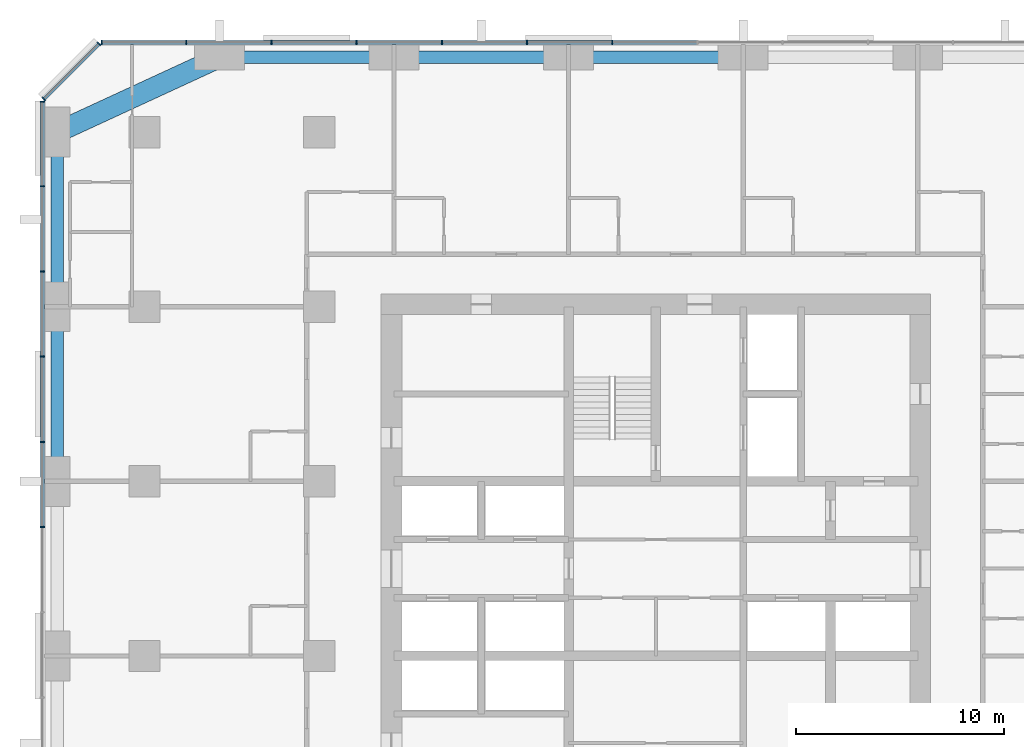
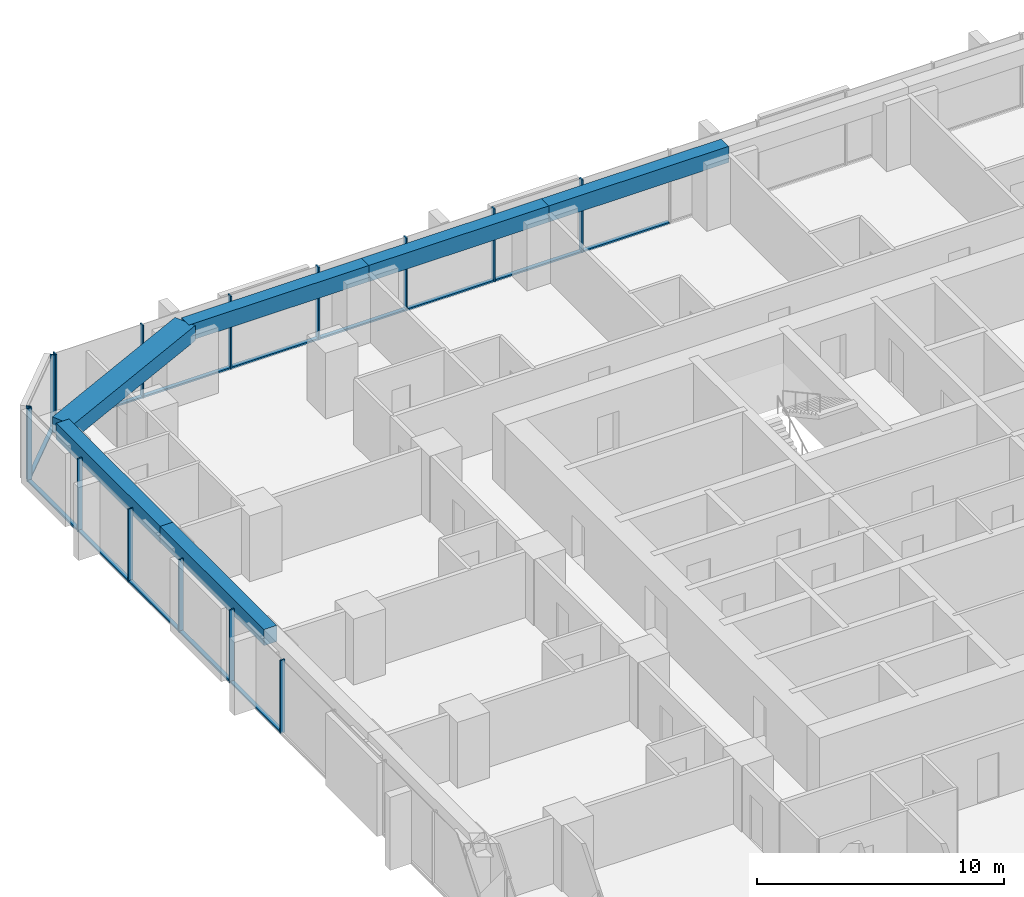
# One storey, part 5 of 13: 28 members, 6 beams, 3 elements without a shape of their own.
"""IFC4 building model written with IfcOpenShell, lengths in metres."""

from ifc_helpers import new_model, si_unit, direction, frame, origin, origin_2d, place, context, subcontext, project, spatial, rectangle, extrude, material, material_profile, profile_set, type_object, element, aggregate, save


model = new_model("IFC4")

# Units and contexts
model_context = context("Model", 3, precision=1e-05, world=origin(), true_north=direction((0.0, 1.0)))
body_context = subcontext(model_context, "Body", "Model", "MODEL_VIEW")
ifc_project = project(units=[si_unit("LENGTHUNIT", "METRE"), si_unit("AREAUNIT", "SQUARE_METRE"), si_unit("VOLUMEUNIT", "CUBIC_METRE"), si_unit("PLANEANGLEUNIT", "RADIAN"), si_unit("MASSUNIT", "GRAM", prefix="KILO")], contexts=[model_context])

# Site, building, storey
site_placement = place(None, origin())
site = spatial("IfcSite", under=ifc_project, at=site_placement, CompositionType="ELEMENT")
building_placement = place(site_placement, origin())
building = spatial("IfcBuilding", under=site, at=building_placement, Name="Dunama Terrace Hotel", CompositionType="ELEMENT")
storey_placement = place(building_placement, frame((0.0, 0.0, 118.800048828125)))
storey = spatial("IfcBuildingStorey", under=building, at=storey_placement, Name="L30", CompositionType="ELEMENT", Elevation=118.800048828125)

# Curtain wall, members
ifc_material_1 = material(Name="Aluminium curtain wall system", Category="aluminium")
curtain_wall_type = type_object("IfcCurtainWallType", Name="Unitised fritted glass wall CW-B", PredefinedType="NOTDEFINED", material=ifc_material_1)
curtain_wall_1_placement = place(storey_placement, origin())
curtain_wall_1 = element("IfcCurtainWall", 1, at=curtain_wall_1_placement, inside=storey, type_object=curtain_wall_type, Name="Unitised fritted glass wall CW-B L30", PredefinedType="NOTDEFINED")
ifc_material_2 = material(Name="Aluminium mullion", Category="aluminium")
ifc_material_profile_1 = material_profile(ifc_material_2, rectangle(XDim=0.06494140625, YDim=0.219970703125, at=origin_2d()), Name="CWB MULLION 65X220")
ifc_profile_set_1 = profile_set([ifc_material_profile_1], Name="Aluminium mullion")
member_type_1 = type_object("IfcMemberType", Name="CWB mullion 65x220", PredefinedType="MULLION", material=ifc_profile_set_1)
member_1_placement = place(storey_placement, frame((27.300048828125, 54.7099609375, 0.0), z_axis=(0.0, 0.0, 1.0), x_axis=(-1.0, 0.0, 0.0)))
member_1 = element("IfcMember", 2, at=member_1_placement, type_object=member_type_1, Name="CWB mullion", PredefinedType="MULLION", context=body_context, shape_type="SweptSolid", body=[
    extrude(rectangle(XDim=0.06494140625, YDim=0.219970703125, at=origin_2d()), origin(), (0.0, 0.0, 1.0), 3.599853515625),
])
member_2_placement = place(storey_placement, frame((23.199951171875, 54.7099609375, 0.0), z_axis=(0.0, 0.0, 1.0), x_axis=(-1.0, 0.0, 0.0)))
member_2 = element("IfcMember", 3, at=member_2_placement, type_object=member_type_1, Name="CWB mullion", PredefinedType="MULLION", context=body_context, shape_type="SweptSolid", body=[
    extrude(rectangle(XDim=0.06494140625, YDim=0.219970703125, at=origin_2d()), origin(), (0.0, 0.0, 1.0), 3.599853515625),
])
member_3_placement = place(storey_placement, frame((19.10009765625, 54.7099609375, 0.0), z_axis=(0.0, 0.0, 1.0), x_axis=(-1.0, 0.0, 0.0)))
member_3 = element("IfcMember", 4, at=member_3_placement, type_object=member_type_1, Name="CWB mullion", PredefinedType="MULLION", context=body_context, shape_type="SweptSolid", body=[
    extrude(rectangle(XDim=0.06494140625, YDim=0.219970703125, at=origin_2d()), origin(), (0.0, 0.0, 1.0), 3.599853515625),
])
member_4_placement = place(storey_placement, frame((15.0, 54.7099609375, 0.0), z_axis=(0.0, 0.0, 1.0), x_axis=(-1.0, 0.0, 0.0)))
member_4 = element("IfcMember", 5, at=member_4_placement, type_object=member_type_1, Name="CWB mullion", PredefinedType="MULLION", context=body_context, shape_type="SweptSolid", body=[
    extrude(rectangle(XDim=0.06494140625, YDim=0.219970703125, at=origin_2d()), origin(), (0.0, 0.0, 1.0), 3.599853515625),
])
member_5_placement = place(storey_placement, frame((10.89990234375, 54.7099609375, 0.0), z_axis=(0.0, 0.0, 1.0), x_axis=(-1.0, 0.0, 0.0)))
member_5 = element("IfcMember", 6, at=member_5_placement, type_object=member_type_1, Name="CWB mullion", PredefinedType="MULLION", context=body_context, shape_type="SweptSolid", body=[
    extrude(rectangle(XDim=0.06494140625, YDim=0.219970703125, at=origin_2d()), origin(), (0.0, 0.0, 1.0), 3.599853515625),
])
member_6_placement = place(storey_placement, frame((6.800048828125, 54.7099609375, 0.0), z_axis=(0.0, 0.0, 1.0), x_axis=(-1.0, 0.0, 0.0)))
member_6 = element("IfcMember", 7, at=member_6_placement, type_object=member_type_1, Name="CWB mullion", PredefinedType="MULLION", context=body_context, shape_type="SweptSolid", body=[
    extrude(rectangle(XDim=0.06494140625, YDim=0.219970703125, at=origin_2d()), origin(), (0.0, 0.0, 1.0), 3.599853515625),
])
member_7_placement = place(storey_placement, frame((2.73291015625, 54.7099609375, 0.0), z_axis=(0.0, 0.0, 1.0), x_axis=(-1.0, 0.0, 0.0)))
member_7 = element("IfcMember", 8, at=member_7_placement, type_object=member_type_1, Name="CWB mullion", PredefinedType="MULLION", context=body_context, shape_type="SweptSolid", body=[
    extrude(rectangle(XDim=0.06494140625, YDim=0.219970703125, at=origin_2d()), origin(), (0.0, 0.0, 1.0), 3.599853515625),
])

curtain_wall_2_placement = place(storey_placement, origin())
curtain_wall_2 = element("IfcCurtainWall", 9, at=curtain_wall_2_placement, inside=storey, type_object=curtain_wall_type, Name="Unitised fritted glass wall CW-B L30", PredefinedType="NOTDEFINED")
member_8_placement = place(storey_placement, frame((2.59912109375, 54.655029296875, 0.0), z_axis=(0.0, 0.0, 1.0), x_axis=(-0.707106781187, -0.707106781187, 0.0)))
member_8 = element("IfcMember", 10, at=member_8_placement, type_object=member_type_1, Name="CWB mullion", PredefinedType="MULLION", context=body_context, shape_type="SweptSolid", body=[
    extrude(rectangle(XDim=0.06494140625, YDim=0.219970703125, at=origin_2d()), origin(), (0.0, 0.0, 1.0), 3.599853515625),
])
member_9_placement = place(storey_placement, frame((-0.054931640625, 52.0009765625, 0.0), z_axis=(0.0, 0.0, 1.0), x_axis=(-0.707106781187, -0.707106781187, 0.0)))
member_9 = element("IfcMember", 11, at=member_9_placement, type_object=member_type_1, Name="CWB mullion", PredefinedType="MULLION", context=body_context, shape_type="SweptSolid", body=[
    extrude(rectangle(XDim=0.06494140625, YDim=0.219970703125, at=origin_2d()), origin(), (0.0, 0.0, 1.0), 3.599853515625),
])

curtain_wall_3_placement = place(storey_placement, origin())
curtain_wall_3 = element("IfcCurtainWall", 12, at=curtain_wall_3_placement, inside=storey, type_object=curtain_wall_type, Name="Unitised fritted glass wall CW-B L30", PredefinedType="NOTDEFINED")
member_10_placement = place(storey_placement, frame((-0.110107421875, 51.866943359375, 0.0), z_axis=(0.0, 0.0, 1.0), x_axis=(0.0, -1.0, 0.0)))
member_10 = element("IfcMember", 13, at=member_10_placement, type_object=member_type_1, Name="CWB mullion", PredefinedType="MULLION", context=body_context, shape_type="SweptSolid", body=[
    extrude(rectangle(XDim=0.06494140625, YDim=0.219970703125, at=origin_2d()), origin(), (0.0, 0.0, 1.0), 3.599853515625),
])
member_11_placement = place(storey_placement, frame((-0.110107421875, 47.800048828125, 0.0), z_axis=(0.0, 0.0, 1.0), x_axis=(0.0, -1.0, 0.0)))
member_11 = element("IfcMember", 14, at=member_11_placement, type_object=member_type_1, Name="CWB mullion", PredefinedType="MULLION", context=body_context, shape_type="SweptSolid", body=[
    extrude(rectangle(XDim=0.06494140625, YDim=0.219970703125, at=origin_2d()), origin(), (0.0, 0.0, 1.0), 3.599853515625),
])
member_12_placement = place(storey_placement, frame((-0.110107421875, 43.699951171875, 0.0), z_axis=(0.0, 0.0, 1.0), x_axis=(0.0, -1.0, 0.0)))
member_12 = element("IfcMember", 15, at=member_12_placement, type_object=member_type_1, Name="CWB mullion", PredefinedType="MULLION", context=body_context, shape_type="SweptSolid", body=[
    extrude(rectangle(XDim=0.06494140625, YDim=0.219970703125, at=origin_2d()), origin(), (0.0, 0.0, 1.0), 3.599853515625),
])
member_13_placement = place(storey_placement, frame((-0.110107421875, 39.60009765625, 0.0), z_axis=(0.0, 0.0, 1.0), x_axis=(0.0, -1.0, 0.0)))
member_13 = element("IfcMember", 16, at=member_13_placement, type_object=member_type_1, Name="CWB mullion", PredefinedType="MULLION", context=body_context, shape_type="SweptSolid", body=[
    extrude(rectangle(XDim=0.06494140625, YDim=0.219970703125, at=origin_2d()), origin(), (0.0, 0.0, 1.0), 3.599853515625),
])
member_14_placement = place(storey_placement, frame((-0.110107421875, 35.5, 0.0), z_axis=(0.0, 0.0, 1.0), x_axis=(0.0, -1.0, 0.0)))
member_14 = element("IfcMember", 17, at=member_14_placement, type_object=member_type_1, Name="CWB mullion", PredefinedType="MULLION", context=body_context, shape_type="SweptSolid", body=[
    extrude(rectangle(XDim=0.06494140625, YDim=0.219970703125, at=origin_2d()), origin(), (0.0, 0.0, 1.0), 3.599853515625),
])
member_15_placement = place(storey_placement, frame((-0.110107421875, 31.39990234375, 0.0), z_axis=(0.0, 0.0, 1.0), x_axis=(0.0, -1.0, 0.0)))
member_15 = element("IfcMember", 18, at=member_15_placement, type_object=member_type_1, Name="CWB mullion", PredefinedType="MULLION", context=body_context, shape_type="SweptSolid", body=[
    extrude(rectangle(XDim=0.06494140625, YDim=0.219970703125, at=origin_2d()), origin(), (0.0, 0.0, 1.0), 3.599853515625),
])

# Member
ifc_material_3 = material(Name="Aluminium transom", Category="aluminium")
ifc_material_profile_2 = material_profile(ifc_material_3, rectangle(XDim=0.179931640625, YDim=0.080078125, at=origin_2d()), Name="CWB TRANSOM 180X80")
ifc_profile_set_2 = profile_set([ifc_material_profile_2], Name="Aluminium transom")
member_type_2 = type_object("IfcMemberType", Name="CWB transom 180x80", PredefinedType="USERDEFINED", material=ifc_profile_set_2)
member_16_placement = place(storey_placement, frame((31.366943359375, 54.7099609375, 0.0400390625), z_axis=(-1.0, 0.0, 0.0), x_axis=(0.0, -1.0, 0.0)))
member_16 = element("IfcMember", 19, at=member_16_placement, type_object=member_type_2, Name="CWB transom", ObjectType="TRANSOM", PredefinedType="USERDEFINED", context=body_context, shape_type="SweptSolid", body=[
    extrude(rectangle(XDim=0.179931640625, YDim=0.080078125, at=origin_2d()), origin(), (0.0, 0.0, 1.0), 4.034912109375),
])

member_17_placement = place(storey_placement, frame((27.26806640625, 54.7099609375, 0.0400390625), z_axis=(-1.0, 0.0, 0.0), x_axis=(0.0, -1.0, 0.0)))
member_17 = element("IfcMember", 20, at=member_17_placement, type_object=member_type_2, Name="CWB transom", ObjectType="TRANSOM", PredefinedType="USERDEFINED", context=body_context, shape_type="SweptSolid", body=[
    extrude(rectangle(XDim=0.179931640625, YDim=0.080078125, at=origin_2d()), origin(), (0.0, 0.0, 1.0), 4.03515625),
])

member_18_placement = place(storey_placement, frame((23.16796875, 54.7099609375, 0.0400390625), z_axis=(-1.0, 0.0, 0.0), x_axis=(0.0, -1.0, 0.0)))
member_18 = element("IfcMember", 21, at=member_18_placement, type_object=member_type_2, Name="CWB transom", ObjectType="TRANSOM", PredefinedType="USERDEFINED", context=body_context, shape_type="SweptSolid", body=[
    extrude(rectangle(XDim=0.179931640625, YDim=0.080078125, at=origin_2d()), origin(), (0.0, 0.0, 1.0), 4.034912109375),
])

member_19_placement = place(storey_placement, frame((19.068115234375, 54.7099609375, 0.0400390625), z_axis=(-1.0, 0.0, 0.0), x_axis=(0.0, -1.0, 0.0)))
member_19 = element("IfcMember", 22, at=member_19_placement, type_object=member_type_2, Name="CWB transom", ObjectType="TRANSOM", PredefinedType="USERDEFINED", context=body_context, shape_type="SweptSolid", body=[
    extrude(rectangle(XDim=0.179931640625, YDim=0.080078125, at=origin_2d()), origin(), (0.0, 0.0, 1.0), 4.0361328125),
])

member_20_placement = place(storey_placement, frame((14.968017578125, 54.7099609375, 0.0400390625), z_axis=(-1.0, 0.0, 0.0), x_axis=(0.0, -1.0, 0.0)))
member_20 = element("IfcMember", 23, at=member_20_placement, type_object=member_type_2, Name="CWB transom", ObjectType="TRANSOM", PredefinedType="USERDEFINED", context=body_context, shape_type="SweptSolid", body=[
    extrude(rectangle(XDim=0.179931640625, YDim=0.080078125, at=origin_2d()), origin(), (0.0, 0.0, 1.0), 4.0361328125),
])

member_21_placement = place(storey_placement, frame((10.866943359375, 54.7099609375, 0.0400390625), z_axis=(-1.0, 0.0, 0.0), x_axis=(0.0, -1.0, 0.0)))
member_21 = element("IfcMember", 24, at=member_21_placement, type_object=member_type_2, Name="CWB transom", ObjectType="TRANSOM", PredefinedType="USERDEFINED", context=body_context, shape_type="SweptSolid", body=[
    extrude(rectangle(XDim=0.179931640625, YDim=0.080078125, at=origin_2d()), origin(), (0.0, 0.0, 1.0), 4.033935546875),
])

member_22_placement = place(storey_placement, frame((6.76806640625, 54.7099609375, 0.0400390625), z_axis=(-1.0, 0.0, 0.0), x_axis=(0.0, -1.0, 0.0)))
member_22 = element("IfcMember", 25, at=member_22_placement, type_object=member_type_2, Name="CWB transom", ObjectType="TRANSOM", PredefinedType="USERDEFINED", context=body_context, shape_type="SweptSolid", body=[
    extrude(rectangle(XDim=0.179931640625, YDim=0.080078125, at=origin_2d()), origin(), (0.0, 0.0, 1.0), 4.003173828125),
])

aggregate(curtain_wall_1, [member_1, member_2, member_3, member_4, member_5, member_6, member_7, member_16, member_17, member_18, member_19, member_20, member_21, member_22])

member_23_placement = place(storey_placement, frame((2.575927734375, 54.632080078125, 0.0400390625), z_axis=(-0.707073683909, -0.707139876915, 0.0), x_axis=(0.707139876915, -0.707073683909, 0.0)))
member_23 = element("IfcMember", 26, at=member_23_placement, type_object=member_type_2, Name="CWB transom", ObjectType="TRANSOM", PredefinedType="USERDEFINED", context=body_context, shape_type="SweptSolid", body=[
    extrude(rectangle(XDim=0.179931640625, YDim=0.080078125, at=origin_2d()), origin(), (0.0, 0.0, 1.0), 3.688232421875),
])

aggregate(curtain_wall_2, [member_8, member_9, member_23])

member_24_placement = place(storey_placement, frame((-0.110107421875, 51.8349609375, 0.0400390625), z_axis=(0.0, -1.0, 0.0), x_axis=(1.0, 0.0, 0.0)))
member_24 = element("IfcMember", 27, at=member_24_placement, type_object=member_type_2, Name="CWB transom", ObjectType="TRANSOM", PredefinedType="USERDEFINED", context=body_context, shape_type="SweptSolid", body=[
    extrude(rectangle(XDim=0.179931640625, YDim=0.080078125, at=origin_2d()), origin(), (0.0, 0.0, 1.0), 4.0029296875),
])

member_25_placement = place(storey_placement, frame((-0.110107421875, 47.76708984375, 0.0400390625), z_axis=(0.0, -1.0, 0.0), x_axis=(1.0, 0.0, 0.0)))
member_25 = element("IfcMember", 28, at=member_25_placement, type_object=member_type_2, Name="CWB transom", ObjectType="TRANSOM", PredefinedType="USERDEFINED", context=body_context, shape_type="SweptSolid", body=[
    extrude(rectangle(XDim=0.179931640625, YDim=0.080078125, at=origin_2d()), origin(), (0.0, 0.0, 1.0), 4.0341796875),
])

member_26_placement = place(storey_placement, frame((-0.110107421875, 43.6669921875, 0.0400390625), z_axis=(0.0, -1.0, 0.0), x_axis=(1.0, 0.0, 0.0)))
member_26 = element("IfcMember", 29, at=member_26_placement, type_object=member_type_2, Name="CWB transom", ObjectType="TRANSOM", PredefinedType="USERDEFINED", context=body_context, shape_type="SweptSolid", body=[
    extrude(rectangle(XDim=0.179931640625, YDim=0.080078125, at=origin_2d()), origin(), (0.0, 0.0, 1.0), 4.033935546875),
])

member_27_placement = place(storey_placement, frame((-0.110107421875, 39.56689453125, 0.0400390625), z_axis=(0.0, -1.0, 0.0), x_axis=(1.0, 0.0, 0.0)))
member_27 = element("IfcMember", 30, at=member_27_placement, type_object=member_type_2, Name="CWB transom", ObjectType="TRANSOM", PredefinedType="USERDEFINED", context=body_context, shape_type="SweptSolid", body=[
    extrude(rectangle(XDim=0.179931640625, YDim=0.080078125, at=origin_2d()), origin(), (0.0, 0.0, 1.0), 4.034912109375),
])

member_28_placement = place(storey_placement, frame((-0.110107421875, 35.468017578125, 0.0400390625), z_axis=(0.0, -1.0, 0.0), x_axis=(1.0, 0.0, 0.0)))
member_28 = element("IfcMember", 31, at=member_28_placement, type_object=member_type_2, Name="CWB transom", ObjectType="TRANSOM", PredefinedType="USERDEFINED", context=body_context, shape_type="SweptSolid", body=[
    extrude(rectangle(XDim=0.179931640625, YDim=0.080078125, at=origin_2d()), origin(), (0.0, 0.0, 1.0), 4.0361328125),
])

aggregate(curtain_wall_3, [member_10, member_11, member_12, member_13, member_14, member_15, member_24, member_25, member_26, member_27, member_28])

# Beams
ifc_material_4 = material(Name="Concrete C50/60", Category="concrete")
ifc_material_profile_3 = material_profile(ifc_material_4, rectangle(XDim=1.0, YDim=0.75, at=origin_2d()), Name="RC 1000x750")
ifc_profile_set_3 = profile_set([ifc_material_profile_3], Name="Concrete C50/60")
beam_type_1 = type_object("IfcBeamType", Name="Edge beam RC 1000x750", PredefinedType="SPANDREL", material=ifc_profile_set_3)
beam_1_placement = place(storey_placement, frame((8.39990234375, 54.0, 3.224853515625), z_axis=(-0.907951066374, -0.419076199598, 0.0), x_axis=(0.419076199598, -0.907951066374, 0.0)))
element("IfcBeam", 32, at=beam_1_placement, inside=storey, type_object=beam_type_1, Name="Corner edge beam under L31", PredefinedType="SPANDREL", context=body_context, shape_type="SweptSolid", body=[
    extrude(rectangle(XDim=1.0, YDim=0.75, at=origin_2d()), origin(), (0.0, 0.0, 1.0), 8.590576171875),
])
ifc_material_5 = material(Name="Concrete C40/50", Category="concrete")
ifc_material_profile_4 = material_profile(ifc_material_5, rectangle(XDim=0.60009765625, YDim=0.800048828125, at=origin_2d()), Name="RC 600x800")
ifc_profile_set_4 = profile_set([ifc_material_profile_4], Name="Concrete C40/50")
beam_type_2 = type_object("IfcBeamType", Name="Edge beam RC 600x800", PredefinedType="SPANDREL", material=ifc_profile_set_4)
for number, where, z_axis, x_axis, name in (
    (33, (0.60009765625, 33.60009765625, 3.199951171875), (0.0, 1.0, 0.0), (-1.0, 0.0, 0.0), "Edge beam under L31"),
    (34, (0.60009765625, 42.0, 3.199951171875), (0.0, 1.0, 0.0), (-1.0, 0.0, 0.0), "Edge beam under L31"),
):
    element("IfcBeam", number, at=place(storey_placement, frame(where, z_axis=z_axis, x_axis=x_axis)), inside=storey, type_object=beam_type_2, Name=name, PredefinedType="SPANDREL", context=body_context, shape_type="SweptSolid", body=[
        extrude(rectangle(XDim=0.60009765625, YDim=0.800048828125, at=origin_2d()), origin(), (0.0, 0.0, 1.0), 8.39990234375),
    ])
beam_2_placement = place(storey_placement, frame((8.39990234375, 54.0, 3.199951171875), z_axis=(1.0, 0.0, 0.0), x_axis=(0.0, 1.0, 0.0)))
element("IfcBeam", 35, at=beam_2_placement, inside=storey, type_object=beam_type_2, Name="Edge beam under L31", PredefinedType="SPANDREL", context=body_context, shape_type="SweptSolid", body=[
    extrude(rectangle(XDim=0.60009765625, YDim=0.800048828125, at=origin_2d()), origin(), (0.0, 0.0, 1.0), 8.400146484375),
])
beam_3_placement = place(storey_placement, frame((16.800048828125, 54.0, 3.199951171875), z_axis=(1.0, 0.0, 0.0), x_axis=(0.0, 1.0, 0.0)))
element("IfcBeam", 36, at=beam_3_placement, inside=storey, type_object=beam_type_2, Name="Edge beam under L31", PredefinedType="SPANDREL", context=body_context, shape_type="SweptSolid", body=[
    extrude(rectangle(XDim=0.60009765625, YDim=0.800048828125, at=origin_2d()), origin(), (0.0, 0.0, 1.0), 8.39990234375),
])
beam_4_placement = place(storey_placement, frame((25.199951171875, 54.0, 3.199951171875), z_axis=(1.0, 0.0, 0.0), x_axis=(0.0, 1.0, 0.0)))
element("IfcBeam", 37, at=beam_4_placement, inside=storey, type_object=beam_type_2, Name="Edge beam under L31", PredefinedType="SPANDREL", context=body_context, shape_type="SweptSolid", body=[
    extrude(rectangle(XDim=0.60009765625, YDim=0.800048828125, at=origin_2d()), origin(), (0.0, 0.0, 1.0), 8.400146484375),
])

save(model, "model.ifc")
